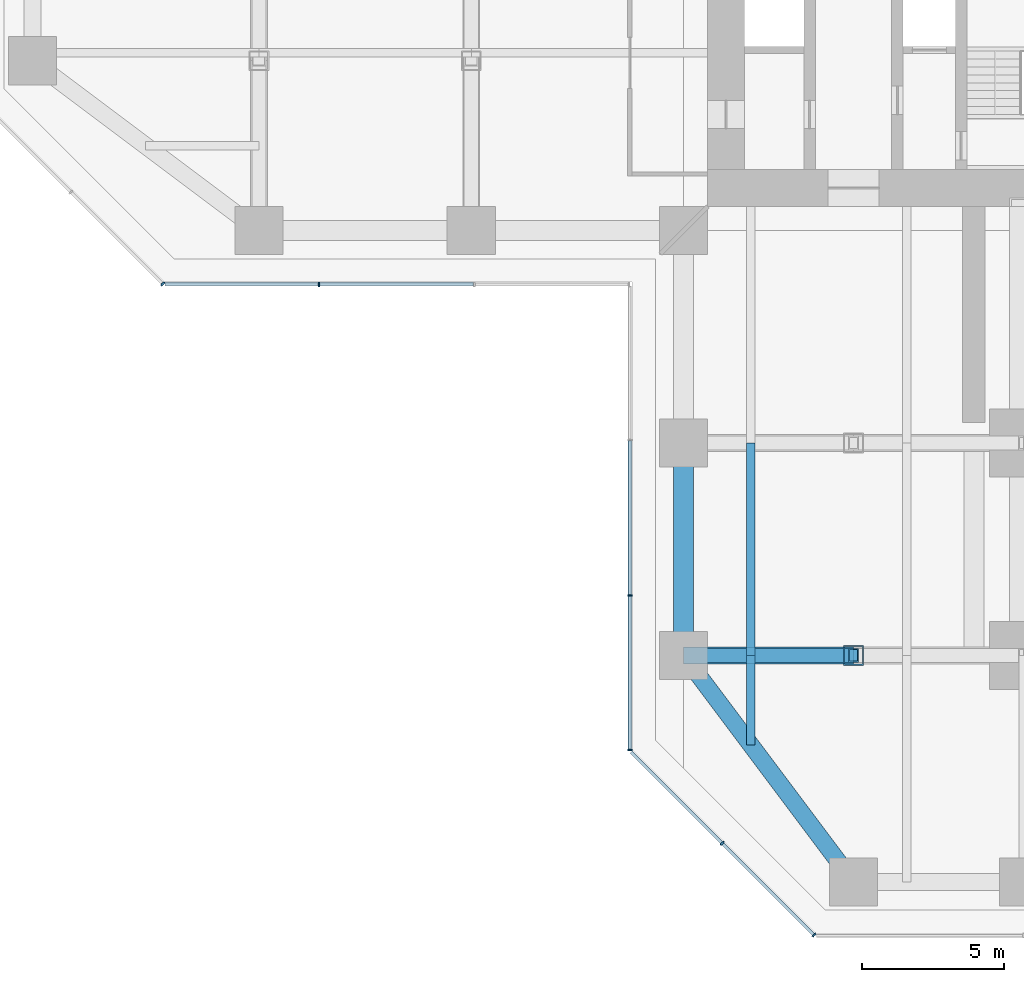
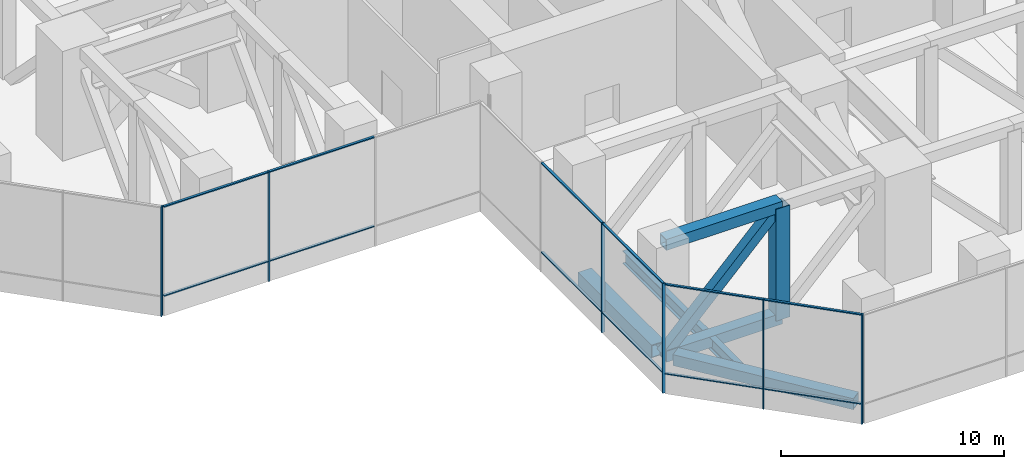
# One storey, part 2 of 19: 22 members, 4 beams, 4 elements without a shape of their own.
"""IFC4 building model written with IfcOpenShell, lengths in metres."""

import ifcopenshell
import ifcopenshell.guid

model = None  # the IFC model being written
_history = None  # IfcOwnerHistory: only IFC2X3 demands one
_inside = {}  # id of a spatial element -> (the spatial element, [elements in it])
_under = {}  # id of a project, library or spatial element -> (it, [spatial elements below it])
_declared = {}  # id of a project -> (the project, [libraries it declares])
_typed = {}  # id of a type object -> (the type object, [elements of that type])
_made_of = {}  # id of a material, layer set ... -> (it, [elements and type objects made of it])


def new_model(schema):
    """Start an empty IFC model of exactly this schema.

    Asked for "IFC4X3", IfcOpenShell would pick the latest addendum, in which some entities
    have other attributes; the version numbers below select the first issue.
    IFC2X3 requires an IfcOwnerHistory on every rooted entity: one is made here for all.
    """
    global model, _history
    if schema == "IFC4X3":
        model = ifcopenshell.file(schema_version=(4, 3, 0, 0))
    else:
        model = ifcopenshell.file(schema=schema)
    _inside.clear()
    _under.clear()
    _declared.clear()
    _typed.clear()
    _made_of.clear()
    _history = None
    if model.schema == "IFC2X3":
        org = make("IfcOrganization", Name="unknown")
        user = make(
            "IfcPersonAndOrganization",
            ThePerson=make("IfcPerson", FamilyName="unknown"),
            TheOrganization=org,
        )
        app = make(
            "IfcApplication",
            ApplicationDeveloper=org,
            Version="unknown",
            ApplicationFullName="unknown",
            ApplicationIdentifier="unknown",
        )
        _history = make(
            "IfcOwnerHistory",
            OwningUser=user,
            OwningApplication=app,
            ChangeAction="ADDED",
            CreationDate=0,
        )
    return model


def make(cls, **values):
    """One entity of the class cls with the attributes given. An attribute that is None is left unset."""
    return model.create_entity(
        cls, **{name: value for name, value in values.items() if value is not None}
    )


def rooted(cls, **values):
    """An entity with a GlobalId (a new one), such as an element, a storey or a relation."""
    return make(cls, GlobalId=ifcopenshell.guid.new(), OwnerHistory=_history, **values)


def si_unit(unit_type, name, prefix=None):
    """IfcSIUnit, for example si_unit("LENGTHUNIT", "METRE", prefix="MILLI")."""
    return make("IfcSIUnit", UnitType=unit_type, Prefix=prefix, Name=name)


def assignment(units):
    """IfcUnitAssignment: the units of a project."""
    return None if units is None else make("IfcUnitAssignment", Units=units)


def point(xyz):
    """IfcCartesianPoint."""
    return None if xyz is None else make("IfcCartesianPoint", Coordinates=xyz)


def direction(xyz):
    """IfcDirection."""
    return None if xyz is None else make("IfcDirection", DirectionRatios=xyz)


def frame(location, z_axis=None, x_axis=None):
    """IfcAxis2Placement3D, a coordinate frame: its origin and axes. An axis left out is left unset."""
    return make(
        "IfcAxis2Placement3D",
        Location=point(location),
        Axis=direction(z_axis),
        RefDirection=direction(x_axis),
    )


def frame_2d(location, x_axis=None):
    """IfcAxis2Placement2D, a coordinate frame in the plane: its origin and x axis."""
    return make(
        "IfcAxis2Placement2D", Location=point(location), RefDirection=direction(x_axis)
    )


def origin():
    """The frame at (0, 0, 0) with its axes left unset."""
    return frame((0.0, 0.0, 0.0))


def origin_2d():
    """The frame at (0, 0) in the plane with its x axis left unset."""
    return frame_2d((0.0, 0.0))


def place(relative_to, where):
    """IfcLocalPlacement: puts the frame where relative to a parent placement (None: the world)."""
    return make(
        "IfcLocalPlacement", PlacementRelTo=relative_to, RelativePlacement=where
    )


def context(
    kind, dimensions, precision=None, world=None, true_north=None, identifier=None
):
    """IfcGeometricRepresentationContext, for example the 3D "Model" context."""
    return make(
        "IfcGeometricRepresentationContext",
        ContextIdentifier=identifier,
        ContextType=kind,
        CoordinateSpaceDimension=dimensions,
        Precision=precision,
        WorldCoordinateSystem=world,
        TrueNorth=true_north,
    )


def subcontext(parent, identifier, kind, view, scale=None):
    """IfcGeometricRepresentationSubContext, for example "Body" below "Model"."""
    return make(
        "IfcGeometricRepresentationSubContext",
        ContextIdentifier=identifier,
        ContextType=kind,
        ParentContext=parent,
        TargetScale=scale,
        TargetView=view,
    )


def project(units=None, contexts=None):
    """IfcProject with its units and contexts."""
    return rooted(
        "IfcProject",
        Name="project",
        RepresentationContexts=contexts,
        UnitsInContext=assignment(units),
    )


def spatial(cls, under=None, at=None, **own):
    """A site, building, storey or space (cls), placed at a placement, below another one or the project."""
    s = rooted(cls, ObjectPlacement=at, **own)
    if under is not None:
        _under.setdefault(under.id(), (under, []))[1].append(s)
    return s


def profile(cls, at=None, kind="AREA", **sizes):
    """A parametric profile (cls). Its sizes go by their IFC names, for example OverallWidth=200.0."""
    return make(cls, ProfileType=kind, Position=at, **sizes)


def rectangle(**sizes):
    """IfcRectangleProfileDef."""
    return profile("IfcRectangleProfileDef", **sizes)


def hollow_rectangle(**sizes):
    """IfcRectangleHollowProfileDef."""
    return profile("IfcRectangleHollowProfileDef", **sizes)


def i_section(**sizes):
    """IfcIShapeProfileDef."""
    return profile("IfcIShapeProfileDef", **sizes)


def extrude(swept, where, along, depth):
    """IfcExtrudedAreaSolid: the profile swept, set in the frame where, extruded along a direction by depth."""
    return make(
        "IfcExtrudedAreaSolid",
        SweptArea=swept,
        Position=where,
        ExtrudedDirection=direction(along),
        Depth=depth,
    )


def shape(context_of_items, identifier, shape_type, items):
    """IfcShapeRepresentation: the items that make up one representation, for example the "Body"."""
    return make(
        "IfcShapeRepresentation",
        ContextOfItems=context_of_items,
        RepresentationIdentifier=identifier,
        RepresentationType=shape_type,
        Items=items,
    )


def material(Name=None, Category=None):
    """IfcMaterial."""
    return make("IfcMaterial", Name=Name, Category=Category)


def material_profile(
    of_material, cross_section, Name=None, Category=None, Priority=None
):
    """IfcMaterialProfile: a cross section and its material."""
    return make(
        "IfcMaterialProfile",
        Name=Name,
        Material=of_material,
        Profile=cross_section,
        Priority=Priority,
        Category=Category,
    )


def profile_set(profiles, Name=None, composite=None):
    """IfcMaterialProfileSet."""
    return make(
        "IfcMaterialProfileSet",
        Name=Name,
        MaterialProfiles=profiles,
        CompositeProfile=composite,
    )


def made_of(thing, what):
    """Note that an element or type object is made of a material, layer set ...; save() writes the relation."""
    if what is not None:
        _made_of.setdefault(what.id(), (what, []))[1].append(thing)
    return thing


def type_object(cls, material=None, **own):
    """A type object (cls), such as IfcWallType, which elements share."""
    return made_of(rooted(cls, **own), material)


def element(
    cls,
    number,
    at=None,
    inside=None,
    cuts=None,
    type_object=None,
    material=None,
    context=None,
    identifier="Body",
    shape_type=None,
    held_by="IfcProductDefinitionShape",
    body=None,
    shapes=None,
    **own,
):
    """One element of the class cls, such as IfcWall. Its Tag is "e" and its number.

    at: its placement. inside: the storey or other place that contains it. cuts: it is an
    opening in that element (IfcRelVoidsElement). A single representation is given by context,
    identifier, shape_type and body (its items); several are given by shapes. held_by: the class
    of the entity that holds the representations. save() writes the other relations.
    """
    e = rooted(cls, Tag="e%d" % number, ObjectPlacement=at, **own)
    if body is not None:
        shapes = [shape(context, identifier, shape_type, body)]
    if shapes is not None:
        e.Representation = make(held_by, Representations=shapes)
    if inside is not None:
        _inside.setdefault(inside.id(), (inside, []))[1].append(e)
    if cuts is not None:
        rooted(
            "IfcRelVoidsElement", RelatingBuildingElement=cuts, RelatedOpeningElement=e
        )
    if type_object is not None:
        _typed.setdefault(type_object.id(), (type_object, []))[1].append(e)
    return made_of(e, material)


def aggregate(whole, parts):
    """IfcRelAggregates: a whole, such as a stair, and the parts it consists of."""
    return rooted("IfcRelAggregates", RelatingObject=whole, RelatedObjects=parts)


def save(model, path):
    """Write the relations noted so far, then the file.

    IfcRelAggregates (storeys below a building ...), IfcRelContainedInSpatialStructure (elements
    in a storey), IfcRelDefinesByType, IfcRelAssociatesMaterial and IfcRelDeclares: one each for
    every whole, place, type object, material and project.
    """
    for whole, parts in _under.values():
        aggregate(whole, parts)
    for where, things in _inside.values():
        rooted(
            "IfcRelContainedInSpatialStructure",
            RelatedElements=things,
            RelatingStructure=where,
        )
    for kind, things in _typed.values():
        rooted("IfcRelDefinesByType", RelatedObjects=things, RelatingType=kind)
    for what, things in _made_of.values():
        rooted("IfcRelAssociatesMaterial", RelatedObjects=things, RelatingMaterial=what)
    for by, libraries in _declared.values():
        rooted("IfcRelDeclares", RelatingContext=by, RelatedDefinitions=libraries)
    model.write(path)


model = new_model("IFC4")

# Units and contexts
model_context = context("Model", 3, precision=1e-05, world=origin(), true_north=direction((0.0, 1.0)))
body_context = subcontext(model_context, "Body", "Model", "MODEL_VIEW")
ifc_project = project(units=[si_unit("LENGTHUNIT", "METRE"), si_unit("AREAUNIT", "SQUARE_METRE"), si_unit("VOLUMEUNIT", "CUBIC_METRE"), si_unit("PLANEANGLEUNIT", "RADIAN"), si_unit("MASSUNIT", "GRAM", prefix="KILO")], contexts=[model_context])

# Site, building, storey
site_placement = place(None, origin())
site = spatial("IfcSite", under=ifc_project, at=site_placement, CompositionType="ELEMENT")
building_placement = place(site_placement, origin())
building = spatial("IfcBuilding", under=site, at=building_placement, Name="Mizan Broadcast Tower", CompositionType="ELEMENT")
storey_placement = place(building_placement, frame((0.0, 0.0, 37.5)))
storey = spatial("IfcBuildingStorey", under=building, at=storey_placement, Name="L06", CompositionType="ELEMENT", Elevation=37.5)

# Members
ifc_material_1 = material(Name="Steel S460", Category="steel")
ifc_material_profile_1 = material_profile(ifc_material_1, hollow_rectangle(XDim=0.60009765625, YDim=0.60009765625, WallThickness=0.06005859375, at=origin_2d()), Name="BOX 600x600x60")
ifc_profile_set_1 = profile_set([ifc_material_profile_1], Name="Steel S460")
member_type_1 = type_object("IfcMemberType", Name="BELT TRUSS BT1 CHORD BOX 600x600x60", PredefinedType="CHORD", material=ifc_profile_set_1)
for number, where, z_axis, x_axis, name in (
    (1, (-12.0, -27.0, -0.550048828125), (1.0, 0.0, 0.0), (0.0, 1.0, 0.0), "Belt truss BT1-S27 bottom chord 1"),
    (2, (-12.0, -27.0, 5.570068359375), (1.0, 0.0, 0.0), (0.0, 1.0, 0.0), "Belt truss BT1-S27 top chord 1"),
):
    element("IfcMember", number, at=place(storey_placement, frame(where, z_axis=z_axis, x_axis=x_axis)), inside=storey, type_object=member_type_1, Name=name, PredefinedType="CHORD", context=body_context, shape_type="SweptSolid", body=[
        extrude(hollow_rectangle(XDim=0.60009765625, YDim=0.60009765625, WallThickness=0.06005859375, at=origin_2d()), origin(), (0.0, 0.0, 1.0), 6.0),
    ])
ifc_material_2 = material(Name="Steel S460", Category="steel")
ifc_material_profile_2 = material_profile(ifc_material_2, hollow_rectangle(XDim=0.5, YDim=0.5, WallThickness=0.050048828125, at=origin_2d()), Name="BOX 500x500x50")
ifc_profile_set_2 = profile_set([ifc_material_profile_2], Name="Steel S460")
member_type_2 = type_object("IfcMemberType", Name="BELT TRUSS BT1 DIAGONAL BOX 500x500x50", PredefinedType="BRACE", material=ifc_profile_set_2)
member_1_placement = place(storey_placement, frame((-12.0, -27.0, -0.550048828125), z_axis=(0.700064575666, 0.0, 0.714079540316), x_axis=(0.0, 1.0, 0.0)))
element("IfcMember", 3, at=member_1_placement, inside=storey, type_object=member_type_2, Name="Belt truss BT1-S27 diagonal 1", PredefinedType="BRACE", context=body_context, shape_type="SweptSolid", body=[
    extrude(hollow_rectangle(XDim=0.5, YDim=0.5, WallThickness=0.050048828125, at=origin_2d()), origin(), (0.0, 0.0, 1.0), 8.570556640625),
])
ifc_material_3 = material(Name="Steel S460", Category="steel")
ifc_material_profile_3 = material_profile(ifc_material_3, hollow_rectangle(XDim=0.699951171875, YDim=0.699951171875, WallThickness=0.0400390625, at=origin_2d()), Name="BOX 700x700x40")
ifc_profile_set_3 = profile_set([ifc_material_profile_3], Name="Steel S460")
member_type_3 = type_object("IfcMemberType", Name="BELT TRUSS BT1 POST BOX 700x700x40", PredefinedType="POST", material=ifc_profile_set_3)
member_2_placement = place(storey_placement, frame((-6.0, -27.0, -0.550048828125), z_axis=(0.0, 0.0, 1.0), x_axis=(1.0, 0.0, 0.0)))
element("IfcMember", 4, at=member_2_placement, inside=storey, type_object=member_type_3, Name="Belt truss BT1-S27 post 1", PredefinedType="POST", context=body_context, shape_type="SweptSolid", body=[
    extrude(hollow_rectangle(XDim=0.699951171875, YDim=0.699951171875, WallThickness=0.0400390625, at=origin_2d()), origin(), (0.0, 0.0, 1.0), 6.1201171875),
])

# Beams
ifc_material_4 = material(Name="Steel S355", Category="steel")
ifc_material_profile_4 = material_profile(ifc_material_4, hollow_rectangle(XDim=0.60009765625, YDim=0.60009765625, WallThickness=0.030029296875, at=origin_2d()), Name="BOX 600x600x30")
ifc_profile_set_4 = profile_set([ifc_material_profile_4], Name="Steel S355")
beam_type_1 = type_object("IfcBeamType", Name="EDGE BEAM BOX 600x600x30", PredefinedType="SPANDREL", material=ifc_profile_set_4)
beam_1_placement = place(storey_placement, frame((-11.639892578125, -27.47998046875, -0.550048828125), z_axis=(0.599982243973, -0.800013316712, 0.0), x_axis=(0.800013316712, 0.599982243973, 0.0)))
element("IfcBeam", 5, at=beam_1_placement, inside=storey, type_object=beam_type_1, Name="Edge beam BOX 600x600x30 L06 south arm", PredefinedType="SPANDREL", context=body_context, shape_type="SweptSolid", body=[
    extrude(hollow_rectangle(XDim=0.60009765625, YDim=0.60009765625, WallThickness=0.030029296875, at=origin_2d()), origin(), (0.0, 0.0, 1.0), 8.7998046875),
])
ifc_material_5 = material(Name="Steel S355", Category="steel")
ifc_material_profile_5 = material_profile(ifc_material_5, hollow_rectangle(XDim=0.699951171875, YDim=0.699951171875, WallThickness=0.0400390625, at=origin_2d()), Name="BOX 700x700x40")
ifc_profile_set_5 = profile_set([ifc_material_profile_5], Name="Steel S355")
beam_type_2 = type_object("IfcBeamType", Name="EDGE BEAM BOX 700x700x40", PredefinedType="SPANDREL", material=ifc_profile_set_5)
beam_2_placement = place(storey_placement, frame((-12.0, -19.949951171875, -0.60009765625), z_axis=(0.0, -1.0, 0.0), x_axis=(1.0, 0.0, 0.0)))
element("IfcBeam", 6, at=beam_2_placement, inside=storey, type_object=beam_type_2, Name="Edge beam BOX 700x700x40 L06 south arm", PredefinedType="SPANDREL", context=body_context, shape_type="SweptSolid", body=[
    extrude(hollow_rectangle(XDim=0.699951171875, YDim=0.699951171875, WallThickness=0.0400390625, at=origin_2d()), origin(), (0.0, 0.0, 1.0), 6.60009765625),
])

# Curtain wall, member
ifc_material_6 = material(Name="Aluminium framed glazing", Category="aluminium")
curtain_wall_type = type_object("IfcCurtainWallType", Name="PLANT LOUVRE", PredefinedType="USERDEFINED", material=ifc_material_6)
curtain_wall_1_placement = place(storey_placement, origin())
curtain_wall_1 = element("IfcCurtainWall", 7, at=curtain_wall_1_placement, inside=storey, type_object=curtain_wall_type, Name="Plant louvre L06 W chamfer", ObjectType="PLANT LOUVRE", PredefinedType="USERDEFINED")
ifc_material_7 = material(Name="Aluminium, pale anodised", Category="aluminium")
ifc_material_profile_6 = material_profile(ifc_material_7, rectangle(XDim=0.159912109375, YDim=0.06005859375, at=origin_2d()), Name="MULLION 160x60")
ifc_profile_set_6 = profile_set([ifc_material_profile_6], Name="Aluminium, pale anodised")
member_type_4 = type_object("IfcMemberType", Name="INNER SKIN MULLION 60x160", PredefinedType="MULLION", material=ifc_profile_set_6)
member_3_placement = place(storey_placement, frame((-30.39404296875, -13.87890625, 0.0), z_axis=(0.0, 0.0, 1.0), x_axis=(0.707106781187, 0.707106781187, 0.0)))
member_3 = element("IfcMember", 8, at=member_3_placement, type_object=member_type_4, Name="Plant louvre L06 W chamfer mullion 3", PredefinedType="MULLION", context=body_context, shape_type="SweptSolid", body=[
    extrude(rectangle(XDim=0.159912109375, YDim=0.06005859375, at=origin_2d()), origin(), (0.0, 0.0, 1.0), 6.0),
])
aggregate(curtain_wall_1, [member_3])

curtain_wall_2_placement = place(storey_placement, origin())
curtain_wall_2 = element("IfcCurtainWall", 9, at=curtain_wall_2_placement, inside=storey, type_object=curtain_wall_type, Name="Plant louvre L06 W side", ObjectType="PLANT LOUVRE", PredefinedType="USERDEFINED")
member_4_placement = place(storey_placement, frame((-24.8818359375, -13.89990234375, 0.0), z_axis=(0.0, 0.0, 1.0), x_axis=(0.0, 1.0, 0.0)))
member_4 = element("IfcMember", 10, at=member_4_placement, type_object=member_type_4, Name="Plant louvre L06 W side mullion 2", PredefinedType="MULLION", context=body_context, shape_type="SweptSolid", body=[
    extrude(rectangle(XDim=0.159912109375, YDim=0.06005859375, at=origin_2d()), origin(), (0.0, 0.0, 1.0), 6.0),
])

# Curtain wall, members
curtain_wall_3_placement = place(storey_placement, origin())
curtain_wall_3 = element("IfcCurtainWall", 11, at=curtain_wall_3_placement, inside=storey, type_object=curtain_wall_type, Name="Plant louvre L06 S side", ObjectType="PLANT LOUVRE", PredefinedType="USERDEFINED")
member_5_placement = place(storey_placement, frame((-13.89990234375, -24.8818359375, 0.0), z_axis=(0.0, 0.0, 1.0), x_axis=(1.0, 0.0, 0.0)))
member_5 = element("IfcMember", 12, at=member_5_placement, type_object=member_type_4, Name="Plant louvre L06 S side mullion 3", PredefinedType="MULLION", context=body_context, shape_type="SweptSolid", body=[
    extrude(rectangle(XDim=0.159912109375, YDim=0.06005859375, at=origin_2d()), origin(), (0.0, 0.0, 1.0), 6.0),
])
member_6_placement = place(storey_placement, frame((-13.89990234375, -30.3427734375, 0.0), z_axis=(0.0, 0.0, 1.0), x_axis=(1.0, 0.0, 0.0)))
member_6 = element("IfcMember", 13, at=member_6_placement, type_object=member_type_4, Name="Plant louvre L06 S side mullion 4", PredefinedType="MULLION", context=body_context, shape_type="SweptSolid", body=[
    extrude(rectangle(XDim=0.159912109375, YDim=0.06005859375, at=origin_2d()), origin(), (0.0, 0.0, 1.0), 6.0),
])

curtain_wall_4_placement = place(storey_placement, origin())
curtain_wall_4 = element("IfcCurtainWall", 14, at=curtain_wall_4_placement, inside=storey, type_object=curtain_wall_type, Name="Plant louvre L06 S chamfer", ObjectType="PLANT LOUVRE", PredefinedType="USERDEFINED")
member_7_placement = place(storey_placement, frame((-10.636474609375, -33.636474609375, 0.0), z_axis=(0.0, 0.0, 1.0), x_axis=(0.707106781187, 0.707106781187, 0.0)))
member_7 = element("IfcMember", 15, at=member_7_placement, type_object=member_type_4, Name="Plant louvre L06 S chamfer mullion 2", PredefinedType="MULLION", context=body_context, shape_type="SweptSolid", body=[
    extrude(rectangle(XDim=0.159912109375, YDim=0.06005859375, at=origin_2d()), origin(), (0.0, 0.0, 1.0), 6.0),
])
member_8_placement = place(storey_placement, frame((-7.39404296875, -36.87890625, 0.0), z_axis=(0.0, 0.0, 1.0), x_axis=(0.707106781187, 0.707106781187, 0.0)))
member_8 = element("IfcMember", 16, at=member_8_placement, type_object=member_type_4, Name="Plant louvre L06 S chamfer mullion 3", PredefinedType="MULLION", context=body_context, shape_type="SweptSolid", body=[
    extrude(rectangle(XDim=0.159912109375, YDim=0.06005859375, at=origin_2d()), origin(), (0.0, 0.0, 1.0), 6.0),
])

# Member
ifc_material_8 = material(Name="Aluminium, pale anodised", Category="aluminium")
ifc_material_profile_7 = material_profile(ifc_material_8, rectangle(XDim=0.1201171875, YDim=0.06005859375, at=origin_2d()), Name="TRANSOM 120x60")
ifc_profile_set_7 = profile_set([ifc_material_profile_7], Name="Aluminium, pale anodised")
member_type_5 = type_object("IfcMemberType", Name="INNER SKIN TRANSOM 60x120", PredefinedType="USERDEFINED", material=ifc_profile_set_7)
member_9_placement = place(storey_placement, frame((-30.312744140625, -13.89990234375, 1.10009765625), z_axis=(1.0, 0.0, 0.0), x_axis=(0.0, 1.0, 0.0)))
member_9 = element("IfcMember", 17, at=member_9_placement, type_object=member_type_5, Name="Plant louvre L06 W side transom 1.1", ObjectType="TRANSOM", PredefinedType="USERDEFINED", context=body_context, shape_type="SweptSolid", body=[
    extrude(rectangle(XDim=0.1201171875, YDim=0.06005859375, at=origin_2d()), origin(), (0.0, 0.0, 1.0), 5.40087890625),
])

member_10_placement = place(storey_placement, frame((-30.312744140625, -13.89990234375, 5.969970703125), z_axis=(1.0, 0.0, 0.0), x_axis=(0.0, 1.0, 0.0)))
member_10 = element("IfcMember", 18, at=member_10_placement, type_object=member_type_5, Name="Plant louvre L06 W side transom 1.2", ObjectType="TRANSOM", PredefinedType="USERDEFINED", context=body_context, shape_type="SweptSolid", body=[
    extrude(rectangle(XDim=0.1201171875, YDim=0.06005859375, at=origin_2d()), origin(), (0.0, 0.0, 1.0), 5.40087890625),
])

member_11_placement = place(storey_placement, frame((-24.851806640625, -13.89990234375, 1.10009765625), z_axis=(1.0, 0.0, 0.0), x_axis=(0.0, 1.0, 0.0)))
member_11 = element("IfcMember", 19, at=member_11_placement, type_object=member_type_5, Name="Plant louvre L06 W side transom 2.1", ObjectType="TRANSOM", PredefinedType="USERDEFINED", context=body_context, shape_type="SweptSolid", body=[
    extrude(rectangle(XDim=0.1201171875, YDim=0.06005859375, at=origin_2d()), origin(), (0.0, 0.0, 1.0), 5.430908203125),
])

member_12_placement = place(storey_placement, frame((-24.851806640625, -13.89990234375, 5.969970703125), z_axis=(1.0, 0.0, 0.0), x_axis=(0.0, 1.0, 0.0)))
member_12 = element("IfcMember", 20, at=member_12_placement, type_object=member_type_5, Name="Plant louvre L06 W side transom 2.2", ObjectType="TRANSOM", PredefinedType="USERDEFINED", context=body_context, shape_type="SweptSolid", body=[
    extrude(rectangle(XDim=0.1201171875, YDim=0.06005859375, at=origin_2d()), origin(), (0.0, 0.0, 1.0), 5.430908203125),
])

aggregate(curtain_wall_2, [member_4, member_9, member_10, member_11, member_12])

member_13_placement = place(storey_placement, frame((-13.89990234375, -19.4208984375, 1.10009765625), z_axis=(0.0, -1.0, 0.0), x_axis=(1.0, 0.0, 0.0)))
member_13 = element("IfcMember", 21, at=member_13_placement, type_object=member_type_5, Name="Plant louvre L06 S side transom 2.1", ObjectType="TRANSOM", PredefinedType="USERDEFINED", context=body_context, shape_type="SweptSolid", body=[
    extrude(rectangle(XDim=0.1201171875, YDim=0.06005859375, at=origin_2d()), origin(), (0.0, 0.0, 1.0), 5.430908203125),
])

member_14_placement = place(storey_placement, frame((-13.89990234375, -19.4208984375, 5.969970703125), z_axis=(0.0, -1.0, 0.0), x_axis=(1.0, 0.0, 0.0)))
member_14 = element("IfcMember", 22, at=member_14_placement, type_object=member_type_5, Name="Plant louvre L06 S side transom 2.2", ObjectType="TRANSOM", PredefinedType="USERDEFINED", context=body_context, shape_type="SweptSolid", body=[
    extrude(rectangle(XDim=0.1201171875, YDim=0.06005859375, at=origin_2d()), origin(), (0.0, 0.0, 1.0), 5.430908203125),
])

member_15_placement = place(storey_placement, frame((-13.89990234375, -24.911865234375, 1.10009765625), z_axis=(0.0, -1.0, 0.0), x_axis=(1.0, 0.0, 0.0)))
member_15 = element("IfcMember", 23, at=member_15_placement, type_object=member_type_5, Name="Plant louvre L06 S side transom 3.1", ObjectType="TRANSOM", PredefinedType="USERDEFINED", context=body_context, shape_type="SweptSolid", body=[
    extrude(rectangle(XDim=0.1201171875, YDim=0.06005859375, at=origin_2d()), origin(), (0.0, 0.0, 1.0), 5.40087890625),
])

member_16_placement = place(storey_placement, frame((-13.89990234375, -24.911865234375, 5.969970703125), z_axis=(0.0, -1.0, 0.0), x_axis=(1.0, 0.0, 0.0)))
member_16 = element("IfcMember", 24, at=member_16_placement, type_object=member_type_5, Name="Plant louvre L06 S side transom 3.2", ObjectType="TRANSOM", PredefinedType="USERDEFINED", context=body_context, shape_type="SweptSolid", body=[
    extrude(rectangle(XDim=0.1201171875, YDim=0.06005859375, at=origin_2d()), origin(), (0.0, 0.0, 1.0), 5.40087890625),
])

aggregate(curtain_wall_3, [member_5, member_6, member_13, member_14, member_15, member_16])

member_17_placement = place(storey_placement, frame((-13.857666015625, -30.415283203125, 1.10009765625), z_axis=(0.707106781187, -0.707106781187, 0.0), x_axis=(0.707106781187, 0.707106781187, 0.0)))
member_17 = element("IfcMember", 25, at=member_17_placement, type_object=member_type_5, Name="Plant louvre L06 S chamfer transom 1.1", ObjectType="TRANSOM", PredefinedType="USERDEFINED", context=body_context, shape_type="SweptSolid", body=[
    extrude(rectangle(XDim=0.1201171875, YDim=0.06005859375, at=origin_2d()), origin(), (0.0, 0.0, 1.0), 4.525390625),
])

member_18_placement = place(storey_placement, frame((-13.857666015625, -30.415283203125, 5.969970703125), z_axis=(0.707106781187, -0.707106781187, 0.0), x_axis=(0.707106781187, 0.707106781187, 0.0)))
member_18 = element("IfcMember", 26, at=member_18_placement, type_object=member_type_5, Name="Plant louvre L06 S chamfer transom 1.2", ObjectType="TRANSOM", PredefinedType="USERDEFINED", context=body_context, shape_type="SweptSolid", body=[
    extrude(rectangle(XDim=0.1201171875, YDim=0.06005859375, at=origin_2d()), origin(), (0.0, 0.0, 1.0), 4.525390625),
])

member_19_placement = place(storey_placement, frame((-10.615234375, -33.65771484375, 1.10009765625), z_axis=(0.707106781187, -0.707106781187, 0.0), x_axis=(0.707106781187, 0.707106781187, 0.0)))
member_19 = element("IfcMember", 27, at=member_19_placement, type_object=member_type_5, Name="Plant louvre L06 S chamfer transom 2.1", ObjectType="TRANSOM", PredefinedType="USERDEFINED", context=body_context, shape_type="SweptSolid", body=[
    extrude(rectangle(XDim=0.1201171875, YDim=0.06005859375, at=origin_2d()), origin(), (0.0, 0.0, 1.0), 4.525390625),
])

member_20_placement = place(storey_placement, frame((-10.615234375, -33.65771484375, 5.969970703125), z_axis=(0.707106781187, -0.707106781187, 0.0), x_axis=(0.707106781187, 0.707106781187, 0.0)))
member_20 = element("IfcMember", 28, at=member_20_placement, type_object=member_type_5, Name="Plant louvre L06 S chamfer transom 2.2", ObjectType="TRANSOM", PredefinedType="USERDEFINED", context=body_context, shape_type="SweptSolid", body=[
    extrude(rectangle(XDim=0.1201171875, YDim=0.06005859375, at=origin_2d()), origin(), (0.0, 0.0, 1.0), 4.525390625),
])

aggregate(curtain_wall_4, [member_7, member_8, member_17, member_18, member_19, member_20])

# Beams
ifc_material_9 = material(Name="Steel S355", Category="steel")
ifc_material_profile_8 = material_profile(ifc_material_9, i_section(OverallWidth=0.300048828125, OverallDepth=0.699951171875, WebThickness=0.01708984375, FlangeThickness=0.031982421875, FilletRadius=0.027099609375, at=origin_2d()), Name="HEB 700")
ifc_profile_set_8 = profile_set([ifc_material_profile_8], Name="Steel S355")
beam_type_3 = type_object("IfcBeamType", Name="SECONDARY BEAM HEB 700", PredefinedType="JOIST", material=ifc_profile_set_8)
beam_3_placement = place(storey_placement, frame((-9.625, -19.5, -0.60009765625), z_axis=(0.0, -1.0, 0.0), x_axis=(1.0, 0.0, 0.0)))
element("IfcBeam", 29, at=beam_3_placement, inside=storey, type_object=beam_type_3, Name="Secondary beam HEB 700 L06 south arm", PredefinedType="JOIST", context=body_context, shape_type="SweptSolid", body=[
    extrude(i_section(OverallWidth=0.300048828125, OverallDepth=0.699951171875, WebThickness=0.01708984375, FlangeThickness=0.031982421875, FilletRadius=0.027099609375, at=origin_2d()), origin(), (0.0, 0.0, 1.0), 7.5),
])
beam_4_placement = place(storey_placement, frame((-9.625, -27.0, -0.60009765625), z_axis=(0.0, -1.0, 0.0), x_axis=(1.0, 0.0, 0.0)))
element("IfcBeam", 30, at=beam_4_placement, inside=storey, type_object=beam_type_3, Name="Secondary beam HEB 700 L06 south arm", PredefinedType="JOIST", context=body_context, shape_type="SweptSolid", body=[
    extrude(i_section(OverallWidth=0.300048828125, OverallDepth=0.699951171875, WebThickness=0.01708984375, FlangeThickness=0.031982421875, FilletRadius=0.027099609375, at=origin_2d()), origin(), (0.0, 0.0, 1.0), 3.166748046875),
])

save(model, "model.ifc")
